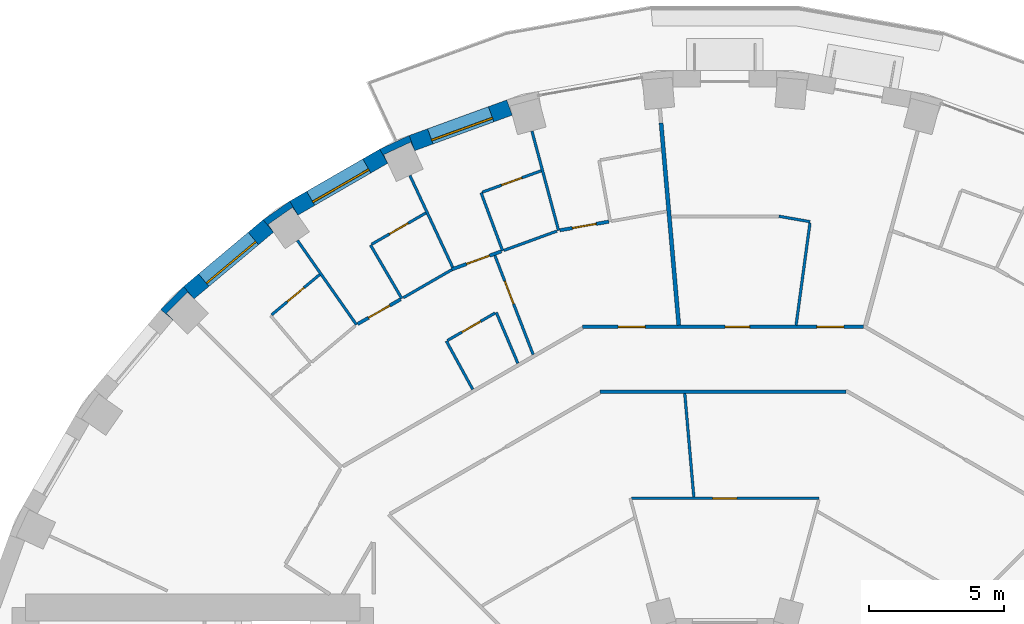
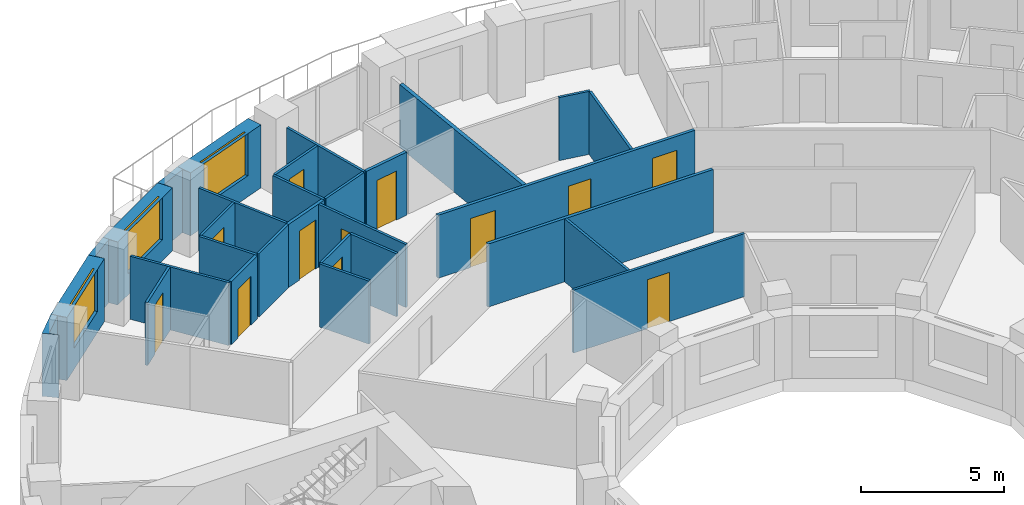
# One storey, part 11 of 15: 30 walls, 12 doors, 3 windows, 15 openings.
"""IFC4 building model written with IfcOpenShell, lengths in metres."""

from ifc_helpers import new_model, si_unit, direction, frame, frame_2d, origin, place, context, subcontext, project, spatial, polyline, rectangle, outline, extrude, material, layer, layer_set, type_object, element, fill, save


model = new_model("IFC4")

# Units and contexts
model_context = context("Model", 3, precision=1e-05, world=origin(), true_north=direction((0.0, 1.0)))
body_context = subcontext(model_context, "Body", "Model", "MODEL_VIEW")
ifc_project = project(units=[si_unit("LENGTHUNIT", "METRE"), si_unit("AREAUNIT", "SQUARE_METRE"), si_unit("VOLUMEUNIT", "CUBIC_METRE"), si_unit("PLANEANGLEUNIT", "RADIAN"), si_unit("MASSUNIT", "GRAM", prefix="KILO")], contexts=[model_context])

# Site, building, storey
site_placement = place(None, origin())
site = spatial("IfcSite", under=ifc_project, at=site_placement, CompositionType="ELEMENT")
building_placement = place(site_placement, origin())
building = spatial("IfcBuilding", under=site, at=building_placement, Name="Saqina Gate Tower", CompositionType="ELEMENT")
storey_placement = place(building_placement, frame((0.0, 0.0, 79.10009765625)))
storey = spatial("IfcBuildingStorey", under=building, at=storey_placement, Name="L22", CompositionType="ELEMENT", Elevation=79.10009765625)

# Walls
ifc_material_1 = material(Name="Brick masonry (red)", Category="masonry")
wall_type_1 = type_object("IfcWallType", Name="BRICK PIER COPING RED", PredefinedType="SOLIDWALL", material=ifc_material_1)
wall_1_placement = place(storey_placement, origin())
element("IfcWall", 1, at=wall_1_placement, inside=storey, type_object=wall_type_1, Name="Pier cap L22 column 12", PredefinedType="SOLIDWALL", context=body_context, shape_type="SweptSolid", body=[
    extrude(outline(polyline([(-12.779541015625, 25.980712890625), (-12.4794921875, 25.4609375), (-12.627685546875, 25.778564453125), (-11.630615234375, 26.243408203125), (-11.482666015625, 25.92578125), (-11.687744140625, 26.48974609375), (-12.779541015625, 25.980712890625)])), origin(), (0.0, 0.0, 1.0), 2.699951171875),
])
wall_2_placement = place(storey_placement, origin())
element("IfcWall", 2, at=wall_2_placement, inside=storey, type_object=wall_type_1, Name="Pier cap L22 column 13", PredefinedType="SOLIDWALL", context=body_context, shape_type="SweptSolid", body=[
    extrude(outline(polyline([(-16.110107421875, 24.0576171875), (-17.096923828125, 23.36669921875), (-16.711181640625, 22.9072265625), (-16.912109375, 23.194091796875), (-16.010986328125, 23.8251953125), (-15.81005859375, 23.5380859375), (-16.110107421875, 24.0576171875)])), origin(), (0.0, 0.0, 1.0), 2.699951171875),
])
wall_3_placement = place(storey_placement, origin())
element("IfcWall", 3, at=wall_3_placement, inside=storey, type_object=wall_type_1, Name="Pier cap L22 column 14", PredefinedType="SOLIDWALL", context=body_context, shape_type="SweptSolid", body=[
    extrude(outline(polyline([(-20.894775390625, 20.04296875), (-20.43505859375, 19.6572265625), (-20.682861328125, 19.905029296875), (-19.905029296875, 20.682861328125), (-19.6572265625, 20.43505859375), (-20.04296875, 20.894775390625), (-20.894775390625, 20.04296875)])), origin(), (0.0, 0.0, 1.0), 2.699951171875),
])

# Wall, opening, window
ifc_material_2 = material(Name="Brick masonry (red)", Category="masonry")
ifc_layer_1 = layer(ifc_material_2, 0.60009765625)
ifc_layer_set_1 = layer_set([ifc_layer_1], Name="FW-BRICK-RED")
wall_type_2 = type_object("IfcWallType", Name="FW-BRICK-RED", PredefinedType="SOLIDWALL", material=ifc_layer_set_1)
wall_4_placement = place(storey_placement, frame((-7.97119140625, 27.523193359375, 0.0), z_axis=(0.0, 0.0, 1.0), x_axis=(-0.939689588564, -0.342028474173, 0.0)))
wall_4 = element("IfcWall", 4, at=wall_4_placement, inside=storey, type_object=wall_type_2, Name="Facade wall L22 facet 11", PredefinedType="SOLIDWALL", context=body_context, shape_type="SweptSolid", body=[
    extrude(rectangle(XDim=3.845947265625, YDim=0.60009765625, at=frame_2d((1.9228515625, 0.0))), origin(), (0.0, 0.0, 1.0), 2.699951171875),
])
opening_1_placement = place(wall_4_placement, frame((0.722900390625, 0.0, 0.89990234375)))
opening_1 = element("IfcOpeningElement", 5, at=opening_1_placement, cuts=wall_4, Name="Opening G06-W05", PredefinedType="OPENING", context=body_context, shape_type="SweptSolid", body=[
    extrude(rectangle(XDim=2.39990234375, YDim=1.800048828125, at=frame_2d((1.199951171875, 0.89990234375))), frame((0.0, 0.31201171875, 0.0), z_axis=(0.0, -1.0, 0.0), x_axis=(1.0, 0.0, 0.0)), (0.0, 0.0, 1.0), 0.6240234375),
])
ifc_material_3 = material(Name="Aluminium glazing", Category="aluminium")
window_type = type_object("IfcWindowType", Name="WN-A", PartitioningType="SINGLE_PANEL", PredefinedType="WINDOW", material=ifc_material_3)
window_1_placement = place(opening_1_placement, origin())
window_1 = element("IfcWindow", 6, at=window_1_placement, inside=storey, type_object=window_type, Name="Window L22 facet 11", OverallHeight=1.800048828125, OverallWidth=2.39990234375, PartitioningType="SINGLE_PANEL", PredefinedType="WINDOW", context=body_context, shape_type="SweptSolid", body=[
    extrude(rectangle(XDim=2.39990234375, YDim=1.800048828125, at=frame_2d((1.199951171875, 0.89990234375))), frame((0.0, 0.179931640625, 0.0), z_axis=(0.0, -1.0, 0.0), x_axis=(1.0, 0.0, 0.0)), (0.0, 0.0, 1.0), 0.06005859375),
])
fill(opening_1, window_1)

wall_5_placement = place(storey_placement, frame((-12.629638671875, 25.720703125, 0.0), z_axis=(0.0, 0.0, 1.0), x_axis=(-0.86603124159, -0.499989888488, 0.0)))
wall_5 = element("IfcWall", 7, at=wall_5_placement, inside=storey, type_object=wall_type_2, Name="Facade wall L22 facet 12", PredefinedType="SOLIDWALL", context=body_context, shape_type="SweptSolid", body=[
    extrude(rectangle(XDim=3.845703125, YDim=0.60009765625, at=frame_2d((1.9228515625, 0.0))), origin(), (0.0, 0.0, 1.0), 2.699951171875),
])
opening_2_placement = place(wall_5_placement, frame((0.722900390625, 0.0, 0.89990234375)))
opening_2 = element("IfcOpeningElement", 8, at=opening_2_placement, cuts=wall_5, Name="Opening G06-W06", PredefinedType="OPENING", context=body_context, shape_type="SweptSolid", body=[
    extrude(rectangle(XDim=2.39990234375, YDim=1.800048828125, at=frame_2d((1.199951171875, 0.89990234375))), frame((0.0, 0.31201171875, 0.0), z_axis=(0.0, -1.0, 0.0), x_axis=(1.0, 0.0, 0.0)), (0.0, 0.0, 1.0), 0.6240234375),
])
window_2_placement = place(opening_2_placement, origin())
window_2 = element("IfcWindow", 9, at=window_2_placement, inside=storey, type_object=window_type, Name="Window L22 facet 12", OverallHeight=1.800048828125, OverallWidth=2.39990234375, PartitioningType="SINGLE_PANEL", PredefinedType="WINDOW", context=body_context, shape_type="SweptSolid", body=[
    extrude(rectangle(XDim=2.39990234375, YDim=1.800048828125, at=frame_2d((1.199951171875, 0.89990234375))), frame((0.0, 0.179931640625, 0.0), z_axis=(0.0, -1.0, 0.0), x_axis=(1.0, 0.0, 0.0)), (0.0, 0.0, 1.0), 0.06005859375),
])
fill(opening_2, window_2)

wall_6_placement = place(storey_placement, frame((-16.904052734375, 23.136962890625, 0.0), z_axis=(0.0, 0.0, 1.0), x_axis=(-0.766026164483, -0.642809392687, 0.0)))
wall_6 = element("IfcWall", 10, at=wall_6_placement, inside=storey, type_object=wall_type_2, Name="Facade wall L22 facet 13", PredefinedType="SOLIDWALL", context=body_context, shape_type="SweptSolid", body=[
    extrude(rectangle(XDim=3.845947265625, YDim=0.60009765625, at=frame_2d((1.9228515625, 0.0))), origin(), (0.0, 0.0, 1.0), 2.699951171875),
])
opening_3_placement = place(wall_6_placement, frame((0.722900390625, 0.0, 0.89990234375)))
opening_3 = element("IfcOpeningElement", 11, at=opening_3_placement, cuts=wall_6, Name="Opening G06-W07", PredefinedType="OPENING", context=body_context, shape_type="SweptSolid", body=[
    extrude(rectangle(XDim=2.39990234375, YDim=1.800048828125, at=frame_2d((1.199951171875, 0.89990234375))), frame((0.0, 0.31201171875, 0.0), z_axis=(0.0, -1.0, 0.0), x_axis=(1.0, 0.0, 0.0)), (0.0, 0.0, 1.0), 0.6240234375),
])
window_3_placement = place(opening_3_placement, origin())
window_3 = element("IfcWindow", 12, at=window_3_placement, inside=storey, type_object=window_type, Name="Window L22 facet 13", OverallHeight=1.800048828125, OverallWidth=2.39990234375, PartitioningType="SINGLE_PANEL", PredefinedType="WINDOW", context=body_context, shape_type="SweptSolid", body=[
    extrude(rectangle(XDim=2.39990234375, YDim=1.800048828125, at=frame_2d((1.199951171875, 0.89990234375))), frame((0.0, 0.179931640625, 0.0), z_axis=(0.0, -1.0, 0.0), x_axis=(1.0, 0.0, 0.0)), (0.0, 0.0, 1.0), 0.06005859375),
])
fill(opening_3, window_3)

# Walls
ifc_material_4 = material(Name="Gypsum board on steel studs, 100 mm", Category="steel")
ifc_layer_2 = layer(ifc_material_4, 0.10009765625)
ifc_layer_set_2 = layer_set([ifc_layer_2], Name="PARTITION 100")
wall_type_3 = type_object("IfcWallType", Name="PARTITION 100", PredefinedType="PARTITIONING", material=ifc_layer_set_2)
wall_7_placement = place(storey_placement, frame((-1.4814453125, 16.937744140625, 0.0), z_axis=(0.0, 0.0, 1.0), x_axis=(0.087009723018, -0.996207462379, 0.0)))
element("IfcWall", 13, at=wall_7_placement, inside=storey, type_object=wall_type_3, Name="PARTITION PW3-03", PredefinedType="PARTITIONING", context=body_context, shape_type="SweptSolid", body=[
    extrude(rectangle(XDim=3.8525390625, YDim=0.10009765625, at=frame_2d((1.92626953125, 0.0))), origin(), (0.0, 0.0, 1.0), 2.699951171875),
])
wall_8_placement = place(storey_placement, frame((-7.14013671875, 26.650146484375, 0.0), z_axis=(0.0, 0.0, 1.0), x_axis=(0.258575921205, -0.965990938349, 0.0)))
element("IfcWall", 14, at=wall_8_placement, inside=storey, type_object=wall_type_3, Name="PARTITION PW3-06", PredefinedType="PARTITIONING", context=body_context, shape_type="SweptSolid", body=[
    extrude(rectangle(XDim=3.809814453125, YDim=0.10009765625, at=frame_2d((1.90478515625, 0.0))), origin(), (0.0, 0.0, 1.0), 2.699951171875),
])
wall_9_placement = place(storey_placement, frame((-9.02587890625, 24.3720703125, 0.0), z_axis=(0.0, 0.0, 1.0), x_axis=(0.347431936108, -0.937705204087, 0.0)))
element("IfcWall", 15, at=wall_9_placement, inside=storey, type_object=wall_type_3, Name="PARTITION PW3-13", PredefinedType="PARTITIONING", context=body_context, shape_type="SweptSolid", body=[
    extrude(rectangle(XDim=2.29931640625, YDim=0.10009765625, at=frame_2d((1.149658203125, 0.0))), origin(), (0.0, 0.0, 1.0), 2.699951171875),
])

# Wall, opening, door
wall_10_placement = place(storey_placement, frame((-8.514404296875, 22.044677734375, 0.0), z_axis=(0.0, 0.0, 1.0), x_axis=(0.360450824224, -0.932778217647, 0.0)))
wall_10 = element("IfcWall", 16, at=wall_10_placement, inside=storey, type_object=wall_type_3, Name="PARTITION PW3-14", PredefinedType="PARTITIONING", context=body_context, shape_type="SweptSolid", body=[
    extrude(rectangle(XDim=3.933837890625, YDim=0.10009765625, at=frame_2d((1.966796875, 0.0))), origin(), (0.0, 0.0, 1.0), 2.699951171875),
])
opening_4_placement = place(wall_10_placement, frame((1.016845703125, 0.0, 0.0)))
opening_4 = element("IfcOpeningElement", 17, at=opening_4_placement, cuts=wall_10, Name="Opening G06-D23", PredefinedType="OPENING", context=body_context, shape_type="SweptSolid", body=[
    extrude(rectangle(XDim=0.89990234375, YDim=2.10009765625, at=frame_2d((0.449951171875, 1.050048828125))), frame((0.0, 0.06201171875, 0.0), z_axis=(0.0, -1.0, 0.0), x_axis=(1.0, 0.0, 0.0)), (0.0, 0.0, 1.0), 0.1240234375),
])
ifc_material_5 = material(Name="Timber door leaf, 900 mm", Category="wood")
door_type_1 = type_object("IfcDoorType", Name="DOOR 900 TIMBER", OperationType="SINGLE_SWING_LEFT", PredefinedType="DOOR", material=ifc_material_5)
door_1_placement = place(opening_4_placement, frame((0.89990234375, 0.0, 0.0), z_axis=(0.0, 0.0, 1.0), x_axis=(-1.0, 0.0, 0.0)))
door_1 = element("IfcDoor", 18, at=door_1_placement, inside=storey, type_object=door_type_1, Name="DOOR G06-D23", OperationType="SINGLE_SWING_LEFT", OverallHeight=2.10009765625, OverallWidth=0.89990234375, PredefinedType="DOOR", context=body_context, shape_type="SweptSolid", body=[
    extrude(rectangle(XDim=0.89990234375, YDim=2.10009765625, at=frame_2d((0.449951171875, 1.050048828125))), frame((0.0, 0.02490234375, 0.0), z_axis=(0.0, -1.0, 0.0), x_axis=(1.0, 0.0, 0.0)), (0.0, 0.0, 1.0), 0.050048828125),
])
fill(opening_4, door_1)

# Walls
wall_11_placement = place(storey_placement, frame((-8.464111328125, 19.93896484375, 0.0), z_axis=(0.0, 0.0, 1.0), x_axis=(0.391032350376, -0.920376934174, 0.0)))
element("IfcWall", 19, at=wall_11_placement, inside=storey, type_object=wall_type_3, Name="PARTITION PW3-15", PredefinedType="PARTITIONING", context=body_context, shape_type="SweptSolid", body=[
    extrude(rectangle(XDim=2.052978515625, YDim=0.10009765625, at=frame_2d((1.0263671875, 0.0))), origin(), (0.0, 0.0, 1.0), 2.699951171875),
])
wall_12_placement = place(storey_placement, frame((-11.65966796875, 25.005126953125, 0.0), z_axis=(0.0, 0.0, 1.0), x_axis=(0.422316636066, -0.906448376303, 0.0)))
element("IfcWall", 20, at=wall_12_placement, inside=storey, type_object=wall_type_3, Name="PARTITION PW3-17", PredefinedType="PARTITIONING", context=body_context, shape_type="SweptSolid", body=[
    extrude(rectangle(XDim=3.760009765625, YDim=0.10009765625, at=frame_2d((1.8798828125, 0.0))), origin(), (0.0, 0.0, 1.0), 2.699951171875),
])
wall_13_placement = place(storey_placement, frame((-10.31005859375, 18.8740234375, 0.0), z_axis=(0.0, 0.0, 1.0), x_axis=(0.479305195881, -0.877648294707, 0.0)))
element("IfcWall", 21, at=wall_13_placement, inside=storey, type_object=wall_type_3, Name="PARTITION PW3-19", PredefinedType="PARTITIONING", context=body_context, shape_type="SweptSolid", body=[
    extrude(rectangle(XDim=2.03857421875, YDim=0.10009765625, at=frame_2d((1.019287109375, 0.0))), origin(), (0.0, 0.0, 1.0), 2.699951171875),
])
wall_14_placement = place(storey_placement, frame((-13.12109375, 22.43505859375, 0.0), z_axis=(0.0, 0.0, 1.0), x_axis=(0.504708754908, -0.863289680651, 0.0)))
element("IfcWall", 22, at=wall_14_placement, inside=storey, type_object=wall_type_3, Name="PARTITION PW3-25", PredefinedType="PARTITIONING", context=body_context, shape_type="SweptSolid", body=[
    extrude(rectangle(XDim=2.300537109375, YDim=0.10009765625, at=frame_2d((1.150390625, 0.0))), origin(), (0.0, 0.0, 1.0), 2.699951171875),
])
wall_15_placement = place(storey_placement, frame((-15.824951171875, 22.6005859375, 0.0), z_axis=(0.0, 0.0, 1.0), x_axis=(0.573574167811, -0.819153632733, 0.0)))
element("IfcWall", 23, at=wall_15_placement, inside=storey, type_object=wall_type_3, Name="PARTITION PW3-26", PredefinedType="PARTITIONING", context=body_context, shape_type="SweptSolid", body=[
    extrude(rectangle(XDim=3.8095703125, YDim=0.10009765625, at=frame_2d((1.90478515625, 0.0))), origin(), (0.0, 0.0, 1.0), 2.699951171875),
])
wall_16_placement = place(storey_placement, frame((2.0048828125, 23.498779296875, 0.0), z_axis=(0.0, 0.0, 1.0), x_axis=(0.984835805664, -0.17348900796, 0.0)))
element("IfcWall", 24, at=wall_16_placement, inside=storey, type_object=wall_type_3, Name="PARTITION PW3-55", PredefinedType="PARTITIONING", context=body_context, shape_type="SweptSolid", body=[
    extrude(rectangle(XDim=1.175048828125, YDim=0.10009765625, at=frame_2d((0.58740234375, 0.0))), origin(), (0.0, 0.0, 1.0), 2.699951171875),
])

# Wall, opening, door
wall_17_placement = place(storey_placement, frame((-3.447021484375, 13.050048828125, 0.0), z_axis=(0.0, 0.0, 1.0), x_axis=(1.0, 0.0, 0.0)))
wall_17 = element("IfcWall", 25, at=wall_17_placement, inside=storey, type_object=wall_type_3, Name="PARTITION PW3-61", PredefinedType="PARTITIONING", context=body_context, shape_type="SweptSolid", body=[
    extrude(rectangle(XDim=6.944091796875, YDim=0.10009765625, at=frame_2d((3.47216796875, 0.0))), origin(), (0.0, 0.0, 1.0), 2.699951171875),
])
opening_5_placement = place(wall_17_placement, frame((2.9970703125, 0.0, 0.0)))
opening_5 = element("IfcOpeningElement", 26, at=opening_5_placement, cuts=wall_17, Name="Opening G06-D18", PredefinedType="OPENING", context=body_context, shape_type="SweptSolid", body=[
    extrude(rectangle(XDim=0.89990234375, YDim=2.10009765625, at=frame_2d((0.449951171875, 1.050048828125))), frame((0.0, 0.06201171875, 0.0), z_axis=(0.0, -1.0, 0.0), x_axis=(1.0, 0.0, 0.0)), (0.0, 0.0, 1.0), 0.1240234375),
])
door_2_placement = place(opening_5_placement, origin())
door_2 = element("IfcDoor", 27, at=door_2_placement, inside=storey, type_object=door_type_1, Name="DOOR G06-D18", OperationType="SINGLE_SWING_LEFT", OverallHeight=2.10009765625, OverallWidth=0.89990234375, PredefinedType="DOOR", context=body_context, shape_type="SweptSolid", body=[
    extrude(rectangle(XDim=0.89990234375, YDim=2.10009765625, at=frame_2d((0.449951171875, 1.050048828125))), frame((0.0, 0.02490234375, 0.0), z_axis=(0.0, -1.0, 0.0), x_axis=(1.0, 0.0, 0.0)), (0.0, 0.0, 1.0), 0.050048828125),
])
fill(opening_5, door_2)

# Wall
wall_18_placement = place(storey_placement, frame((-8.179931640625, 22.233154296875, 0.0), z_axis=(0.0, 0.0, 1.0), x_axis=(0.939708229367, 0.341977256056, 0.0)))
element("IfcWall", 28, at=wall_18_placement, inside=storey, type_object=wall_type_3, Name="PARTITION PW3-69", PredefinedType="PARTITIONING", context=body_context, shape_type="SweptSolid", body=[
    extrude(rectangle(XDim=2.092529296875, YDim=0.10009765625, at=frame_2d((1.04638671875, 0.0))), origin(), (0.0, 0.0, 1.0), 2.699951171875),
])

# Wall, opening, door
wall_19_placement = place(storey_placement, frame((-8.97900390625, 24.38916015625, 0.0), z_axis=(0.0, 0.0, 1.0), x_axis=(0.93967659433, 0.342064172443, 0.0)))
wall_19 = element("IfcWall", 29, at=wall_19_placement, inside=storey, type_object=wall_type_3, Name="PARTITION PW3-70", PredefinedType="PARTITIONING", context=body_context, shape_type="SweptSolid", body=[
    extrude(rectangle(XDim=2.319580078125, YDim=0.10009765625, at=frame_2d((1.15966796875, 0.0))), origin(), (0.0, 0.0, 1.0), 2.699951171875),
])
opening_6_placement = place(wall_19_placement, frame((0.760009765625, 0.0, 0.0)))
opening_6 = element("IfcOpeningElement", 30, at=opening_6_placement, cuts=wall_19, Name="Opening G06-D22", PredefinedType="OPENING", context=body_context, shape_type="SweptSolid", body=[
    extrude(rectangle(XDim=0.800048828125, YDim=2.10009765625, at=frame_2d((0.39990234375, 1.050048828125))), frame((0.0, 0.06201171875, 0.0), z_axis=(0.0, -1.0, 0.0), x_axis=(1.0, 0.0, 0.0)), (0.0, 0.0, 1.0), 0.1240234375),
])
ifc_material_6 = material(Name="Timber door leaf, 800 mm", Category="wood")
door_type_2 = type_object("IfcDoorType", Name="DOOR 800 TIMBER", OperationType="SINGLE_SWING_LEFT", PredefinedType="DOOR", material=ifc_material_6)
door_3_placement = place(opening_6_placement, origin())
door_3 = element("IfcDoor", 31, at=door_3_placement, inside=storey, type_object=door_type_2, Name="DOOR G06-D22", OperationType="SINGLE_SWING_RIGHT", OverallHeight=2.10009765625, OverallWidth=0.800048828125, PredefinedType="DOOR", context=body_context, shape_type="SweptSolid", body=[
    extrude(rectangle(XDim=0.800048828125, YDim=2.10009765625, at=frame_2d((0.39990234375, 1.050048828125))), frame((0.0, 0.02490234375, 0.0), z_axis=(0.0, -1.0, 0.0), x_axis=(1.0, 0.0, 0.0)), (0.0, 0.0, 1.0), 0.050048828125),
])
fill(opening_6, door_3)

wall_20_placement = place(storey_placement, frame((-10.2666015625, 18.89892578125, 0.0), z_axis=(0.0, 0.0, 1.0), x_axis=(0.866149564305, 0.499784885981, 0.0)))
wall_20 = element("IfcWall", 32, at=wall_20_placement, inside=storey, type_object=wall_type_3, Name="PARTITION PW3-79", PredefinedType="PARTITIONING", context=body_context, shape_type="SweptSolid", body=[
    extrude(rectangle(XDim=2.03125, YDim=0.10009765625, at=frame_2d((1.015625, 0.0))), origin(), (0.0, 0.0, 1.0), 2.699951171875),
])
opening_7_placement = place(wall_20_placement, frame((0.615478515625, 0.0, 0.0)))
opening_7 = element("IfcOpeningElement", 33, at=opening_7_placement, cuts=wall_20, Name="Opening G06-D25", PredefinedType="OPENING", context=body_context, shape_type="SweptSolid", body=[
    extrude(rectangle(XDim=0.800048828125, YDim=2.10009765625, at=frame_2d((0.39990234375, 1.050048828125))), frame((0.0, 0.06201171875, 0.0), z_axis=(0.0, -1.0, 0.0), x_axis=(1.0, 0.0, 0.0)), (0.0, 0.0, 1.0), 0.1240234375),
])
door_4_placement = place(opening_7_placement, origin())
door_4 = element("IfcDoor", 34, at=door_4_placement, inside=storey, type_object=door_type_2, Name="DOOR G06-D25", OperationType="SINGLE_SWING_RIGHT", OverallHeight=2.10009765625, OverallWidth=0.800048828125, PredefinedType="DOOR", context=body_context, shape_type="SweptSolid", body=[
    extrude(rectangle(XDim=0.800048828125, YDim=2.10009765625, at=frame_2d((0.39990234375, 1.050048828125))), frame((0.0, 0.02490234375, 0.0), z_axis=(0.0, -1.0, 0.0), x_axis=(1.0, 0.0, 0.0)), (0.0, 0.0, 1.0), 0.050048828125),
])
fill(opening_7, door_4)

# Wall
wall_21_placement = place(storey_placement, frame((-11.90576171875, 20.480224609375, 0.0), z_axis=(0.0, 0.0, 1.0), x_axis=(0.865966712092, 0.500101643217, 0.0)))
element("IfcWall", 35, at=wall_21_placement, inside=storey, type_object=wall_type_3, Name="PARTITION PW3-80", PredefinedType="PARTITIONING", context=body_context, shape_type="SweptSolid", body=[
    extrude(rectangle(XDim=2.08056640625, YDim=0.10009765625, at=frame_2d((1.040283203125, 0.0))), origin(), (0.0, 0.0, 1.0), 2.699951171875),
])

# Wall, opening, door
wall_22_placement = place(storey_placement, frame((-13.07763671875, 22.4599609375, 0.0), z_axis=(0.0, 0.0, 1.0), x_axis=(0.865947141423, 0.500135529893, 0.0)))
wall_22 = element("IfcWall", 36, at=wall_22_placement, inside=storey, type_object=wall_type_3, Name="PARTITION PW3-81", PredefinedType="PARTITIONING", context=body_context, shape_type="SweptSolid", body=[
    extrude(rectangle(XDim=2.319091796875, YDim=0.10009765625, at=frame_2d((1.15966796875, 0.0))), origin(), (0.0, 0.0, 1.0), 2.699951171875),
])
opening_8_placement = place(wall_22_placement, frame((0.759765625, 0.0, 0.0)))
opening_8 = element("IfcOpeningElement", 37, at=opening_8_placement, cuts=wall_22, Name="Opening G06-D26", PredefinedType="OPENING", context=body_context, shape_type="SweptSolid", body=[
    extrude(rectangle(XDim=0.800048828125, YDim=2.10009765625, at=frame_2d((0.39990234375, 1.050048828125))), frame((0.0, 0.06201171875, 0.0), z_axis=(0.0, -1.0, 0.0), x_axis=(1.0, 0.0, 0.0)), (0.0, 0.0, 1.0), 0.1240234375),
])
door_5_placement = place(opening_8_placement, origin())
door_5 = element("IfcDoor", 38, at=door_5_placement, inside=storey, type_object=door_type_2, Name="DOOR G06-D26", OperationType="SINGLE_SWING_RIGHT", OverallHeight=2.10009765625, OverallWidth=0.800048828125, PredefinedType="DOOR", context=body_context, shape_type="SweptSolid", body=[
    extrude(rectangle(XDim=0.800048828125, YDim=2.10009765625, at=frame_2d((0.39990234375, 1.050048828125))), frame((0.0, 0.02490234375, 0.0), z_axis=(0.0, -1.0, 0.0), x_axis=(1.0, 0.0, 0.0)), (0.0, 0.0, 1.0), 0.050048828125),
])
fill(opening_8, door_5)

wall_23_placement = place(storey_placement, frame((-16.77880859375, 19.84814453125, 0.0), z_axis=(0.0, 0.0, 1.0), x_axis=(0.766051078848, 0.642779701449, 0.0)))
wall_23 = element("IfcWall", 39, at=wall_23_placement, inside=storey, type_object=wall_type_3, Name="PARTITION PW3-91", PredefinedType="PARTITIONING", context=body_context, shape_type="SweptSolid", body=[
    extrude(rectangle(XDim=2.319091796875, YDim=0.10009765625, at=frame_2d((1.15966796875, 0.0))), origin(), (0.0, 0.0, 1.0), 2.699951171875),
])
opening_9_placement = place(wall_23_placement, frame((0.759521484375, 0.0, 0.0)))
opening_9 = element("IfcOpeningElement", 40, at=opening_9_placement, cuts=wall_23, Name="Opening G06-D30", PredefinedType="OPENING", context=body_context, shape_type="SweptSolid", body=[
    extrude(rectangle(XDim=0.800048828125, YDim=2.10009765625, at=frame_2d((0.39990234375, 1.050048828125))), frame((0.0, 0.06201171875, 0.0), z_axis=(0.0, -1.0, 0.0), x_axis=(1.0, 0.0, 0.0)), (0.0, 0.0, 1.0), 0.1240234375),
])
door_6_placement = place(opening_9_placement, origin())
door_6 = element("IfcDoor", 41, at=door_6_placement, inside=storey, type_object=door_type_2, Name="DOOR G06-D30", OperationType="SINGLE_SWING_LEFT", OverallHeight=2.10009765625, OverallWidth=0.800048828125, PredefinedType="DOOR", context=body_context, shape_type="SweptSolid", body=[
    extrude(rectangle(XDim=0.800048828125, YDim=2.10009765625, at=frame_2d((0.39990234375, 1.050048828125))), frame((0.0, 0.02490234375, 0.0), z_axis=(0.0, -1.0, 0.0), x_axis=(1.0, 0.0, 0.0)), (0.0, 0.0, 1.0), 0.050048828125),
])
fill(opening_9, door_6)

# Walls
wall_24_placement = place(storey_placement, frame((2.641357421875, 19.4619140625, 0.0), z_axis=(0.0, 0.0, 1.0), x_axis=(0.134568047679, 0.990904354892, 0.0)))
element("IfcWall", 42, at=wall_24_placement, inside=storey, type_object=wall_type_3, Name="PARTITION PW3-116", PredefinedType="PARTITIONING", context=body_context, shape_type="SweptSolid", body=[
    extrude(rectangle(XDim=3.817138671875, YDim=0.10009765625, at=frame_2d((1.90869140625, 0.0))), origin(), (0.0, 0.0, 1.0), 2.699951171875),
])
ifc_material_7 = material(Name="Gypsum board on steel studs, 125 mm, fire rated", Category="steel")
ifc_layer_3 = layer(ifc_material_7, 0.125)
ifc_layer_set_3 = layer_set([ifc_layer_3], Name="PARTITION EI 30 125")
wall_type_4 = type_object("IfcWallType", Name="PARTITION EI 30 125", PredefinedType="PARTITIONING", material=ifc_layer_set_3)
wall_25_placement = place(storey_placement, frame((-4.627197265625, 17.0, 0.0), z_axis=(0.0, 0.0, 1.0), x_axis=(1.0, 0.0, 0.0)))
element("IfcWall", 43, at=wall_25_placement, inside=storey, type_object=wall_type_4, Name="PARTITION PW1-34", PredefinedType="PARTITIONING", context=body_context, shape_type="SweptSolid", body=[
    extrude(rectangle(XDim=9.11962890625, YDim=0.125, at=frame_2d((4.559814453125, 0.0))), origin(), (0.0, 0.0, 1.0), 2.699951171875),
])

# Wall, openings, doors
wall_26_placement = place(storey_placement, frame((-5.270263671875, 19.39990234375, 0.0), z_axis=(0.0, 0.0, 1.0), x_axis=(1.0, 0.0, 0.0)))
wall_26 = element("IfcWall", 44, at=wall_26_placement, inside=storey, type_object=wall_type_4, Name="PARTITION PW1-35", PredefinedType="PARTITIONING", context=body_context, shape_type="SweptSolid", body=[
    extrude(rectangle(XDim=10.40576171875, YDim=0.125, at=frame_2d((5.202880859375, 0.0))), origin(), (0.0, 0.0, 1.0), 2.699951171875),
])
opening_10_placement = place(wall_26_placement, frame((8.685791015625, 0.0, 0.0)))
opening_10 = element("IfcOpeningElement", 45, at=opening_10_placement, cuts=wall_26, Name="Opening G06-D16", PredefinedType="OPENING", context=body_context, shape_type="SweptSolid", body=[
    extrude(rectangle(XDim=1.0, YDim=2.10009765625, at=frame_2d((0.5, 1.050048828125))), frame((0.0, 0.074462890625, 0.0), z_axis=(0.0, -1.0, 0.0), x_axis=(1.0, 0.0, 0.0)), (0.0, 0.0, 1.0), 0.14892578125),
])
opening_11_placement = place(wall_26_placement, frame((5.2880859375, 0.0, 0.0)))
opening_11 = element("IfcOpeningElement", 46, at=opening_11_placement, cuts=wall_26, Name="Opening G06-D17", PredefinedType="OPENING", context=body_context, shape_type="SweptSolid", body=[
    extrude(rectangle(XDim=0.89990234375, YDim=2.10009765625, at=frame_2d((0.449951171875, 1.050048828125))), frame((0.0, 0.074462890625, 0.0), z_axis=(0.0, -1.0, 0.0), x_axis=(1.0, 0.0, 0.0)), (0.0, 0.0, 1.0), 0.14892578125),
])
opening_12_placement = place(wall_26_placement, frame((1.32275390625, 0.0, 0.0)))
opening_12 = element("IfcOpeningElement", 47, at=opening_12_placement, cuts=wall_26, Name="Opening G06-D20", PredefinedType="OPENING", context=body_context, shape_type="SweptSolid", body=[
    extrude(rectangle(XDim=1.0, YDim=2.10009765625, at=frame_2d((0.5, 1.050048828125))), frame((0.0, 0.074462890625, 0.0), z_axis=(0.0, -1.0, 0.0), x_axis=(1.0, 0.0, 0.0)), (0.0, 0.0, 1.0), 0.14892578125),
])
ifc_material_8 = material(Name="Fire door leaf EI 30, 1000 mm")
door_type_3 = type_object("IfcDoorType", Name="DOOR 1000 EI 30", OperationType="SINGLE_SWING_LEFT", PredefinedType="DOOR", material=ifc_material_8)
door_7_placement = place(opening_10_placement, origin())
door_7 = element("IfcDoor", 48, at=door_7_placement, inside=storey, type_object=door_type_3, Name="DOOR G06-D16", OperationType="SINGLE_SWING_RIGHT", OverallHeight=2.10009765625, OverallWidth=1.0, PredefinedType="DOOR", context=body_context, shape_type="SweptSolid", body=[
    extrude(rectangle(XDim=1.0, YDim=2.10009765625, at=frame_2d((0.5, 1.050048828125))), frame((0.0, 0.02490234375, 0.0), z_axis=(0.0, -1.0, 0.0), x_axis=(1.0, 0.0, 0.0)), (0.0, 0.0, 1.0), 0.050048828125),
])
fill(opening_10, door_7)
door_8_placement = place(opening_12_placement, origin())
door_8 = element("IfcDoor", 49, at=door_8_placement, inside=storey, type_object=door_type_3, Name="DOOR G06-D20", OperationType="SINGLE_SWING_LEFT", OverallHeight=2.10009765625, OverallWidth=1.0, PredefinedType="DOOR", context=body_context, shape_type="SweptSolid", body=[
    extrude(rectangle(XDim=1.0, YDim=2.10009765625, at=frame_2d((0.5, 1.050048828125))), frame((0.0, 0.02490234375, 0.0), z_axis=(0.0, -1.0, 0.0), x_axis=(1.0, 0.0, 0.0)), (0.0, 0.0, 1.0), 0.050048828125),
])
fill(opening_12, door_8)
ifc_material_9 = material(Name="Fire door leaf EI 30, 900 mm")
door_type_4 = type_object("IfcDoorType", Name="DOOR 900 EI 30", OperationType="SINGLE_SWING_LEFT", PredefinedType="DOOR", material=ifc_material_9)
door_9_placement = place(opening_11_placement, origin())
door_9 = element("IfcDoor", 50, at=door_9_placement, inside=storey, type_object=door_type_4, Name="DOOR G06-D17", OperationType="SINGLE_SWING_RIGHT", OverallHeight=2.10009765625, OverallWidth=0.89990234375, PredefinedType="DOOR", context=body_context, shape_type="SweptSolid", body=[
    extrude(rectangle(XDim=0.89990234375, YDim=2.10009765625, at=frame_2d((0.449951171875, 1.050048828125))), frame((0.0, 0.02490234375, 0.0), z_axis=(0.0, -1.0, 0.0), x_axis=(1.0, 0.0, 0.0)), (0.0, 0.0, 1.0), 0.050048828125),
])
fill(opening_11, door_9)

# Wall, opening, door
wall_27_placement = place(storey_placement, frame((-6.105712890625, 22.978759765625, 0.0), z_axis=(0.0, 0.0, 1.0), x_axis=(0.984808921368, 0.173641551464, 0.0)))
wall_27 = element("IfcWall", 51, at=wall_27_placement, inside=storey, type_object=wall_type_4, Name="PARTITION PW1-37", PredefinedType="PARTITIONING", context=body_context, shape_type="SweptSolid", body=[
    extrude(rectangle(XDim=1.840576171875, YDim=0.125, at=frame_2d((0.92041015625, 0.0))), origin(), (0.0, 0.0, 1.0), 2.699951171875),
])
opening_13_placement = place(wall_27_placement, frame((0.47021484375, 0.0, 0.0)))
opening_13 = element("IfcOpeningElement", 52, at=opening_13_placement, cuts=wall_27, Name="Opening G06-D21", PredefinedType="OPENING", context=body_context, shape_type="SweptSolid", body=[
    extrude(rectangle(XDim=0.89990234375, YDim=2.10009765625, at=frame_2d((0.449951171875, 1.050048828125))), frame((0.0, 0.074462890625, 0.0), z_axis=(0.0, -1.0, 0.0), x_axis=(1.0, 0.0, 0.0)), (0.0, 0.0, 1.0), 0.14892578125),
])
door_10_placement = place(opening_13_placement, frame((0.89990234375, 0.0, 0.0), z_axis=(0.0, 0.0, 1.0), x_axis=(-1.0, 0.0, 0.0)))
door_10 = element("IfcDoor", 53, at=door_10_placement, inside=storey, type_object=door_type_4, Name="DOOR G06-D21", OperationType="SINGLE_SWING_RIGHT", OverallHeight=2.10009765625, OverallWidth=0.89990234375, PredefinedType="DOOR", context=body_context, shape_type="SweptSolid", body=[
    extrude(rectangle(XDim=0.89990234375, YDim=2.10009765625, at=frame_2d((0.449951171875, 1.050048828125))), frame((0.0, 0.02490234375, 0.0), z_axis=(0.0, -1.0, 0.0), x_axis=(1.0, 0.0, 0.0)), (0.0, 0.0, 1.0), 0.050048828125),
])
fill(opening_13, door_10)

wall_28_placement = place(storey_placement, frame((-10.109619140625, 21.5302734375, 0.0), z_axis=(0.0, 0.0, 1.0), x_axis=(0.939599898996, 0.342274786986, 0.0)))
wall_28 = element("IfcWall", 54, at=wall_28_placement, inside=storey, type_object=wall_type_4, Name="PARTITION PW1-39", PredefinedType="PARTITIONING", context=body_context, shape_type="SweptSolid", body=[
    extrude(rectangle(XDim=1.95361328125, YDim=0.125, at=frame_2d((0.976806640625, 0.0))), origin(), (0.0, 0.0, 1.0), 2.699951171875),
])
opening_14_placement = place(wall_28_placement, frame((0.58349609375, 0.0, 0.0)))
opening_14 = element("IfcOpeningElement", 55, at=opening_14_placement, cuts=wall_28, Name="Opening G06-D24", PredefinedType="OPENING", context=body_context, shape_type="SweptSolid", body=[
    extrude(rectangle(XDim=0.89990234375, YDim=2.10009765625, at=frame_2d((0.449951171875, 1.050048828125))), frame((0.0, 0.074462890625, 0.0), z_axis=(0.0, -1.0, 0.0), x_axis=(1.0, 0.0, 0.0)), (0.0, 0.0, 1.0), 0.14892578125),
])
door_11_placement = place(opening_14_placement, frame((0.89990234375, 0.0, 0.0), z_axis=(0.0, 0.0, 1.0), x_axis=(-1.0, 0.0, 0.0)))
door_11 = element("IfcDoor", 56, at=door_11_placement, inside=storey, type_object=door_type_4, Name="DOOR G06-D24", OperationType="SINGLE_SWING_LEFT", OverallHeight=2.10009765625, OverallWidth=0.89990234375, PredefinedType="DOOR", context=body_context, shape_type="SweptSolid", body=[
    extrude(rectangle(XDim=0.89990234375, YDim=2.10009765625, at=frame_2d((0.449951171875, 1.050048828125))), frame((0.0, 0.02490234375, 0.0), z_axis=(0.0, -1.0, 0.0), x_axis=(1.0, 0.0, 0.0)), (0.0, 0.0, 1.0), 0.050048828125),
])
fill(opening_14, door_11)

wall_29_placement = place(storey_placement, frame((-13.59716796875, 19.506103515625, 0.0), z_axis=(0.0, 0.0, 1.0), x_axis=(0.866538954681, 0.499109446936, 0.0)))
wall_29 = element("IfcWall", 57, at=wall_29_placement, inside=storey, type_object=wall_type_4, Name="PARTITION PW1-43", PredefinedType="PARTITIONING", context=body_context, shape_type="SweptSolid", body=[
    extrude(rectangle(XDim=1.839111328125, YDim=0.125, at=frame_2d((0.91943359375, 0.0))), origin(), (0.0, 0.0, 1.0), 2.699951171875),
])
opening_15_placement = place(wall_29_placement, frame((0.4697265625, 0.0, 0.0)))
opening_15 = element("IfcOpeningElement", 58, at=opening_15_placement, cuts=wall_29, Name="Opening G06-D29", PredefinedType="OPENING", context=body_context, shape_type="SweptSolid", body=[
    extrude(rectangle(XDim=0.89990234375, YDim=2.10009765625, at=frame_2d((0.449951171875, 1.050048828125))), frame((0.0, 0.074462890625, 0.0), z_axis=(0.0, -1.0, 0.0), x_axis=(1.0, 0.0, 0.0)), (0.0, 0.0, 1.0), 0.14892578125),
])
door_12_placement = place(opening_15_placement, frame((0.89990234375, 0.0, 0.0), z_axis=(0.0, 0.0, 1.0), x_axis=(-1.0, 0.0, 0.0)))
door_12 = element("IfcDoor", 59, at=door_12_placement, inside=storey, type_object=door_type_4, Name="DOOR G06-D29", OperationType="SINGLE_SWING_RIGHT", OverallHeight=2.10009765625, OverallWidth=0.89990234375, PredefinedType="DOOR", context=body_context, shape_type="SweptSolid", body=[
    extrude(rectangle(XDim=0.89990234375, YDim=2.10009765625, at=frame_2d((0.449951171875, 1.050048828125))), frame((0.0, 0.02490234375, 0.0), z_axis=(0.0, -1.0, 0.0), x_axis=(1.0, 0.0, 0.0)), (0.0, 0.0, 1.0), 0.050048828125),
])
fill(opening_15, door_12)

# Wall
ifc_material_10 = material(Name="Gypsum board on steel studs, 150 mm, fire rated", Category="steel")
ifc_layer_4 = layer(ifc_material_10, 0.14990234375)
ifc_layer_set_4 = layer_set([ifc_layer_4], Name="PARTITION EI 60 150")
wall_type_5 = type_object("IfcWallType", Name="PARTITION EI 60 150", PredefinedType="PARTITIONING", material=ifc_layer_set_4)
wall_30_placement = place(storey_placement, frame((-2.35791015625, 26.952392578125, 0.0), z_axis=(0.0, 0.0, 1.0), x_axis=(0.087150838373, -0.996195127157, 0.0)))
element("IfcWall", 60, at=wall_30_placement, inside=storey, type_object=wall_type_5, Name="PARTITION PW2-01", PredefinedType="PARTITIONING", context=body_context, shape_type="SweptSolid", body=[
    extrude(rectangle(XDim=7.518798828125, YDim=0.14990234375, at=frame_2d((3.75927734375, 0.0))), origin(), (0.0, 0.0, 1.0), 2.699951171875),
])

save(model, "model.ifc")
